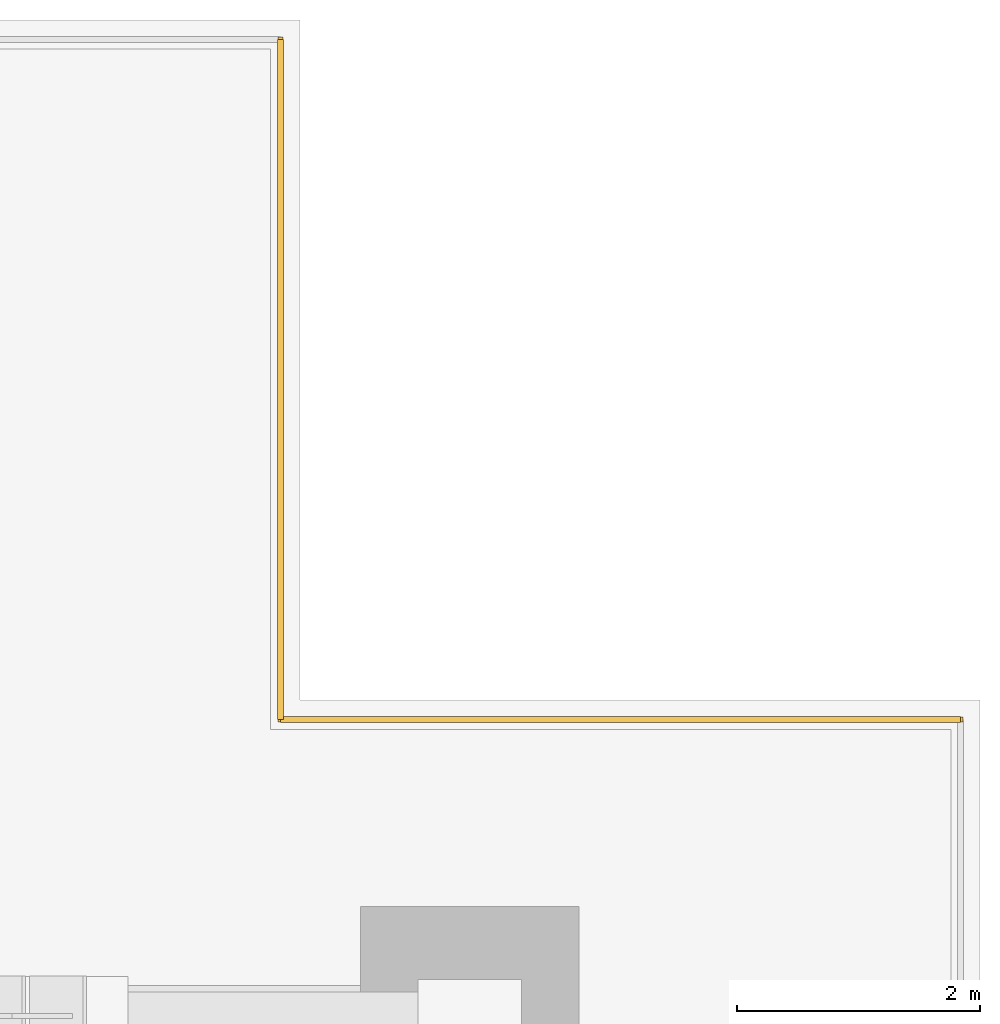
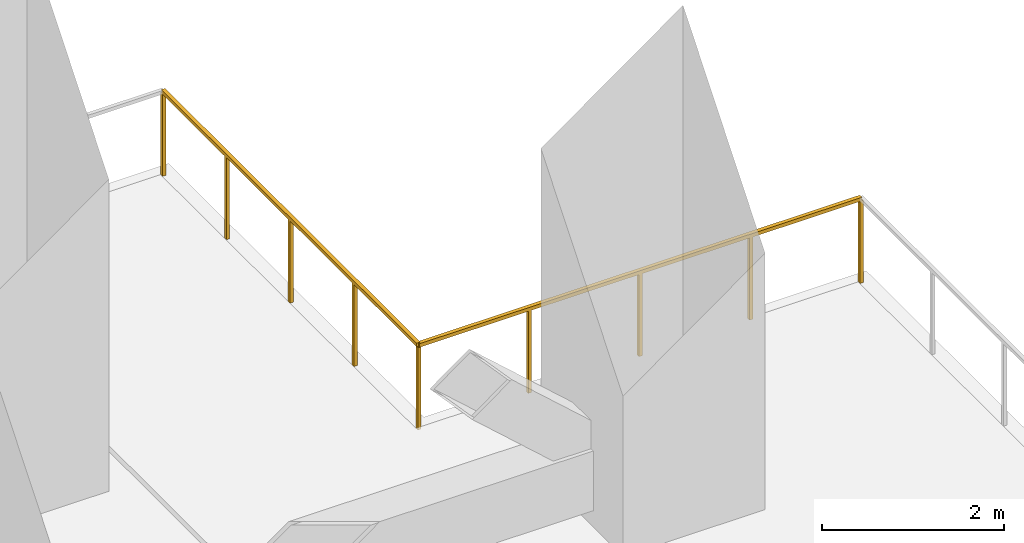
# One storey, part 9 of 10: 2 railings.
"""IFC4 building model written with IfcOpenShell, lengths in metres."""

from ifc_helpers import new_model, si_unit, direction, frame, origin, origin_2d, place, context, subcontext, project, spatial, rectangle, extrude, material, type_object, element, save


model = new_model("IFC4")

# Units and contexts
model_context = context("Model", 3, precision=1e-05, world=origin(), true_north=direction((0.0, 1.0)))
body_context = subcontext(model_context, "Body", "Model", "MODEL_VIEW")
ifc_project = project(units=[si_unit("LENGTHUNIT", "METRE"), si_unit("AREAUNIT", "SQUARE_METRE"), si_unit("VOLUMEUNIT", "CUBIC_METRE"), si_unit("PLANEANGLEUNIT", "RADIAN"), si_unit("MASSUNIT", "GRAM", prefix="KILO")], contexts=[model_context])

# Site, building, storey
site_placement = place(None, origin())
site = spatial("IfcSite", under=ifc_project, at=site_placement, CompositionType="ELEMENT")
building_placement = place(site_placement, origin())
building = spatial("IfcBuilding", under=site, at=building_placement, Name="Sumidabori Civic Tower", CompositionType="ELEMENT")
storey_placement = place(building_placement, frame((0.0, 0.0, 70.39990234375)))
storey = spatial("IfcBuildingStorey", under=building, at=storey_placement, Name="L18", CompositionType="ELEMENT", Elevation=70.39990234375)

# Railings
ifc_material = material(Name="Anodised Bronze Aluminium AW-6063-T6", Category="aluminium")
railing_type = type_object("IfcRailingType", Name="RL-BAL-1150", PredefinedType="BALUSTRADE", material=ifc_material)
railing_1_placement = place(storey_placement, frame((21.239990234375, 26.840087890625, 0.0)))
element("IfcRailing", 1, at=railing_1_placement, inside=storey, type_object=railing_type, Name="Wind-Slot Refuge Portal Safety Guard L18-07", PredefinedType="BALUSTRADE", context=body_context, shape_type="SweptSolid", body=[
    extrude(rectangle(XDim=0.048095703125, YDim=0.048095703125, at=origin_2d()), frame((0.0, 0.0, 1.1259765625), z_axis=(0.0, -1.0, 0.0), x_axis=(1.0, 0.0, 0.0)), (0.0, 0.0, 1.0), 5.60009765625),
    extrude(rectangle(XDim=0.0419921875, YDim=0.0419921875, at=origin_2d()), origin(), (0.0, 0.0, 1.0), 1.101806640625),
    extrude(rectangle(XDim=0.0419921875, YDim=0.0419921875, at=origin_2d()), frame((0.0, -1.39990234375, 0.0)), (0.0, 0.0, 1.0), 1.101806640625),
    extrude(rectangle(XDim=0.0419921875, YDim=0.0419921875, at=origin_2d()), frame((0.0, -2.800048828125, 0.0)), (0.0, 0.0, 1.0), 1.101806640625),
    extrude(rectangle(XDim=0.0419921875, YDim=0.0419921875, at=origin_2d()), frame((0.0, -4.2001953125, 0.0)), (0.0, 0.0, 1.0), 1.101806640625),
    extrude(rectangle(XDim=0.0419921875, YDim=0.0419921875, at=origin_2d()), frame((0.0, -5.60009765625, 0.0)), (0.0, 0.0, 1.0), 1.101806640625),
])
railing_2_placement = place(storey_placement, frame((21.239990234375, 21.239990234375, 0.0)))
element("IfcRailing", 2, at=railing_2_placement, inside=storey, type_object=railing_type, Name="Wind-Slot Refuge Portal Safety Guard L18-08", PredefinedType="BALUSTRADE", context=body_context, shape_type="SweptSolid", body=[
    extrude(rectangle(XDim=0.048095703125, YDim=0.048095703125, at=origin_2d()), frame((0.0, 0.0, 1.1259765625), z_axis=(1.0, 0.0, 0.0), x_axis=(0.0, 1.0, 0.0)), (0.0, 0.0, 1.0), 5.60009765625),
    extrude(rectangle(XDim=0.0419921875, YDim=0.0419921875, at=origin_2d()), origin(), (0.0, 0.0, 1.0), 1.101806640625),
    extrude(rectangle(XDim=0.0419921875, YDim=0.0419921875, at=origin_2d()), frame((1.39990234375, 0.0, 0.0)), (0.0, 0.0, 1.0), 1.101806640625),
    extrude(rectangle(XDim=0.0419921875, YDim=0.0419921875, at=origin_2d()), frame((2.800048828125, 0.0, 0.0)), (0.0, 0.0, 1.0), 1.101806640625),
    extrude(rectangle(XDim=0.0419921875, YDim=0.0419921875, at=origin_2d()), frame((4.2001953125, 0.0, 0.0)), (0.0, 0.0, 1.0), 1.101806640625),
    extrude(rectangle(XDim=0.0419921875, YDim=0.0419921875, at=origin_2d()), frame((5.60009765625, 0.0, 0.0)), (0.0, 0.0, 1.0), 1.101806640625),
])

save(model, "model.ifc")
